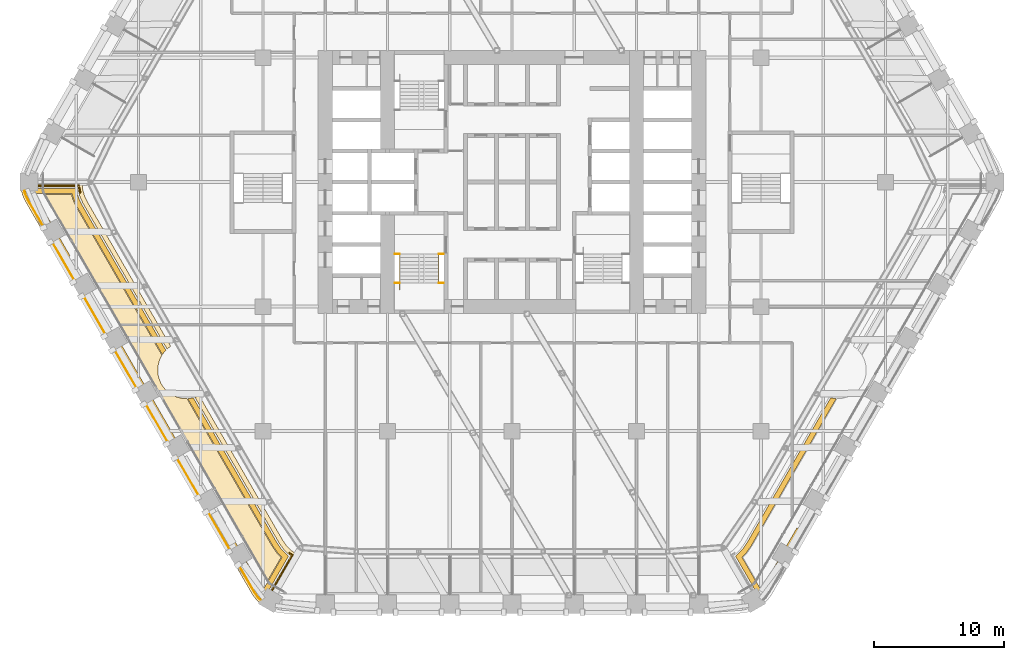
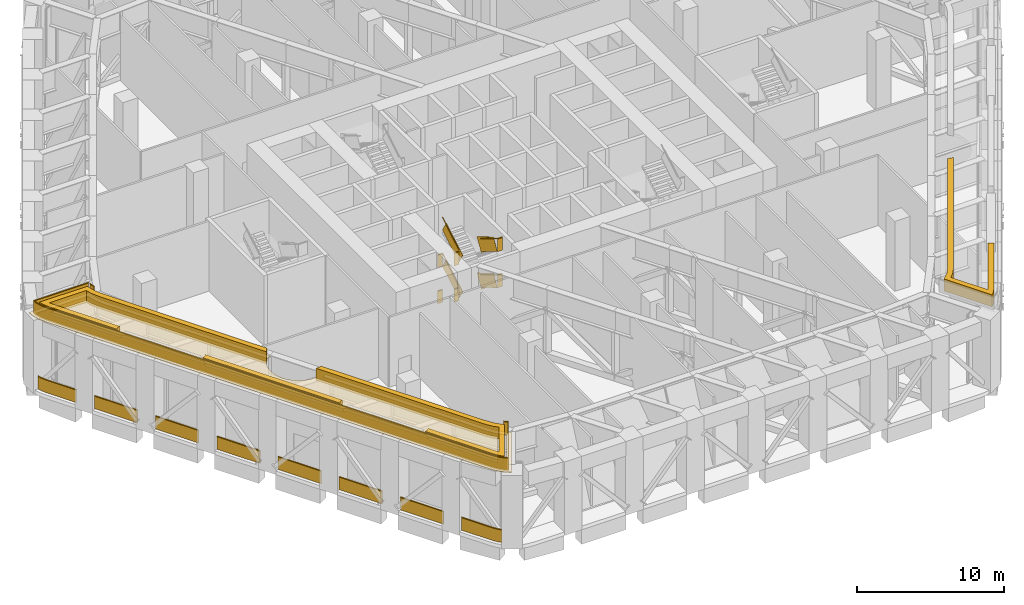
# One storey, part 32 of 35: 6 coverings, 4 railings.
"""IFC4 building model written with IfcOpenShell, lengths in metres."""

from ifc_helpers import new_model, si_unit, direction, frame, frame_2d, origin, origin_2d, place, context, subcontext, project, spatial, polyline, rectangle, outline, extrude, material, layer, layer_set, type_object, element, save


model = new_model("IFC4")

# Units and contexts
model_context = context("Model", 3, precision=1e-05, world=origin(), true_north=direction((0.0, 1.0)))
body_context = subcontext(model_context, "Body", "Model", "MODEL_VIEW")
ifc_project = project(units=[si_unit("LENGTHUNIT", "METRE"), si_unit("AREAUNIT", "SQUARE_METRE"), si_unit("VOLUMEUNIT", "CUBIC_METRE"), si_unit("PLANEANGLEUNIT", "RADIAN"), si_unit("MASSUNIT", "GRAM", prefix="KILO")], contexts=[model_context])

# Site, building, storey
site_placement = place(None, origin())
site = spatial("IfcSite", under=ifc_project, at=site_placement, CompositionType="ELEMENT")
building_placement = place(site_placement, origin())
building = spatial("IfcBuilding", under=site, at=building_placement, Name="Kolab Exchange Tower", CompositionType="ELEMENT")
storey_placement = place(building_placement, frame((0.0, 0.0, 71.89990234375)))
storey = spatial("IfcBuildingStorey", under=building, at=storey_placement, Name="L13", CompositionType="ELEMENT", Elevation=71.89990234375)

# Railings
ifc_material_1 = material(Name="Stainless steel 316", Category="steel")
railing_type_1 = type_object("IfcRailingType", Name="GUARD 1100", PredefinedType="GUARDRAIL", material=ifc_material_1)
railing_1_placement = place(storey_placement, frame((-9.050048828125, -5.550048828125, 0.0)))
element("IfcRailing", 1, at=railing_1_placement, inside=storey, type_object=railing_type_1, Name="Guard ST3", PredefinedType="GUARDRAIL", context=body_context, shape_type="SweptSolid", body=[
    extrude(rectangle(XDim=0.05, YDim=0.05, at=origin_2d()), frame((0.0, 0.0, 1.0751953125), z_axis=(1.0, 0.0, 0.0), x_axis=(0.0, 1.0, 0.0)), (0.0, 0.0, 1.0), 0.39013671875),
    extrude(rectangle(XDim=0.012, YDim=1.05009765625, at=frame_2d((0.0, 0.525146484375))), frame((0.0, 0.0, 0.0), z_axis=(1.0, 0.0, 0.0), x_axis=(0.0, 1.0, 0.0)), (0.0, 0.0, 1.0), 0.39013671875),
    extrude(rectangle(XDim=0.05, YDim=0.05, at=origin_2d()), frame((3.41015625, 0.0, 1.0751953125), z_axis=(1.0, 0.0, 0.0), x_axis=(0.0, 1.0, 0.0)), (0.0, 0.0, 1.0), 0.389892578125),
    extrude(rectangle(XDim=0.012, YDim=1.05009765625, at=frame_2d((0.0, 0.525146484375))), frame((3.41015625, 0.0, 0.0), z_axis=(1.0, 0.0, 0.0), x_axis=(0.0, 1.0, 0.0)), (0.0, 0.0, 1.0), 0.389892578125),
    extrude(rectangle(XDim=0.05, YDim=0.05, at=origin_2d()), frame((0.0, -2.239990234375, 2.5751953125), z_axis=(1.0, 0.0, 0.0), x_axis=(0.0, 1.0, 0.0)), (0.0, 0.0, 1.0), 0.39013671875),
    extrude(rectangle(XDim=0.012, YDim=1.05009765625, at=frame_2d((0.0, 0.525146484375))), frame((0.0, -2.239990234375, 1.5), z_axis=(1.0, 0.0, 0.0), x_axis=(0.0, 1.0, 0.0)), (0.0, 0.0, 1.0), 0.39013671875),
    extrude(rectangle(XDim=0.05, YDim=0.05, at=origin_2d()), frame((3.41015625, -2.239990234375, 2.5751953125), z_axis=(1.0, 0.0, 0.0), x_axis=(0.0, 1.0, 0.0)), (0.0, 0.0, 1.0), 0.389892578125),
    extrude(rectangle(XDim=0.012, YDim=1.05009765625, at=frame_2d((0.0, 0.525146484375))), frame((3.41015625, -2.239990234375, 1.5), z_axis=(1.0, 0.0, 0.0), x_axis=(0.0, 1.0, 0.0)), (0.0, 0.0, 1.0), 0.389892578125),
    extrude(rectangle(XDim=0.05, YDim=0.05, at=origin_2d()), frame((0.0, 0.0, 4.0751953125), z_axis=(1.0, 0.0, 0.0), x_axis=(0.0, 1.0, 0.0)), (0.0, 0.0, 1.0), 0.39013671875),
    extrude(rectangle(XDim=0.012, YDim=1.05009765625, at=frame_2d((0.0, 0.525146484375))), frame((0.0, 0.0, 3.0), z_axis=(1.0, 0.0, 0.0), x_axis=(0.0, 1.0, 0.0)), (0.0, 0.0, 1.0), 0.39013671875),
    extrude(rectangle(XDim=0.05, YDim=0.05, at=origin_2d()), frame((3.41015625, 0.0, 4.0751953125), z_axis=(1.0, 0.0, 0.0), x_axis=(0.0, 1.0, 0.0)), (0.0, 0.0, 1.0), 0.389892578125),
    extrude(rectangle(XDim=0.012, YDim=1.05009765625, at=frame_2d((0.0, 0.525146484375))), frame((3.41015625, 0.0, 3.0), z_axis=(1.0, 0.0, 0.0), x_axis=(0.0, 1.0, 0.0)), (0.0, 0.0, 1.0), 0.389892578125),
    extrude(rectangle(XDim=0.05, YDim=0.05, at=origin_2d()), frame((0.0, -2.239990234375, 5.5751953125), z_axis=(1.0, 0.0, 0.0), x_axis=(0.0, 1.0, 0.0)), (0.0, 0.0, 1.0), 0.39013671875),
    extrude(rectangle(XDim=0.012, YDim=1.05009765625, at=frame_2d((0.0, 0.525146484375))), frame((0.0, -2.239990234375, 4.5), z_axis=(1.0, 0.0, 0.0), x_axis=(0.0, 1.0, 0.0)), (0.0, 0.0, 1.0), 0.39013671875),
    extrude(rectangle(XDim=0.05, YDim=0.05, at=origin_2d()), frame((3.41015625, -2.239990234375, 5.5751953125), z_axis=(1.0, 0.0, 0.0), x_axis=(0.0, 1.0, 0.0)), (0.0, 0.0, 1.0), 0.389892578125),
    extrude(rectangle(XDim=0.012, YDim=1.05009765625, at=frame_2d((0.0, 0.525146484375))), frame((3.41015625, -2.239990234375, 4.5), z_axis=(1.0, 0.0, 0.0), x_axis=(0.0, 1.0, 0.0)), (0.0, 0.0, 1.0), 0.389892578125),
])
railing_2_placement = place(storey_placement, frame((-5.639892578125, -5.550048828125, 0.166748046875)))
element("IfcRailing", 2, at=railing_2_placement, inside=storey, type_object=railing_type_1, Name="Handrail guard ST3", PredefinedType="GUARDRAIL", context=body_context, shape_type="SweptSolid", body=[
    extrude(rectangle(XDim=0.05, YDim=0.05, at=origin_2d()), frame((0.0, 0.0, 1.0751953125), z_axis=(0.0, -0.859305625298, 0.511462454469), x_axis=(1.0, 0.0, 0.0)), (0.0, 0.0, 1.0), 2.606689453125),
    extrude(rectangle(XDim=0.012, YDim=1.05009765625, at=frame_2d((0.0, 0.525146484375))), frame((0.0, 0.0, 0.0), z_axis=(0.0, -0.859305625298, 0.511462454469), x_axis=(1.0, 0.0, 0.0)), (0.0, 0.0, 1.0), 2.606689453125),
    extrude(rectangle(XDim=0.05, YDim=0.05, at=origin_2d()), frame((-3.02001953125, -2.239990234375, 2.5751953125), z_axis=(0.0, 0.859305625298, 0.511462454469), x_axis=(-1.0, 0.0, 0.0)), (0.0, 0.0, 1.0), 2.606689453125),
    extrude(rectangle(XDim=0.012, YDim=1.05009765625, at=frame_2d((0.0, 0.525146484375))), frame((-3.02001953125, -2.239990234375, 1.5), z_axis=(0.0, 0.859305625298, 0.511462454469), x_axis=(-1.0, 0.0, 0.0)), (0.0, 0.0, 1.0), 2.606689453125),
    extrude(rectangle(XDim=0.05, YDim=0.05, at=origin_2d()), frame((0.0, 0.0, 4.0751953125), z_axis=(0.0, -0.859305625298, 0.511462454469), x_axis=(1.0, 0.0, 0.0)), (0.0, 0.0, 1.0), 2.606689453125),
    extrude(rectangle(XDim=0.012, YDim=1.05009765625, at=frame_2d((0.0, 0.525146484375))), frame((0.0, 0.0, 3.0), z_axis=(0.0, -0.859305625298, 0.511462454469), x_axis=(1.0, 0.0, 0.0)), (0.0, 0.0, 1.0), 2.606689453125),
    extrude(rectangle(XDim=0.05, YDim=0.05, at=origin_2d()), frame((-3.02001953125, -2.239990234375, 5.5751953125), z_axis=(0.0, 0.859305625298, 0.511462454469), x_axis=(-1.0, 0.0, 0.0)), (0.0, 0.0, 1.0), 2.606689453125),
    extrude(rectangle(XDim=0.012, YDim=1.05009765625, at=frame_2d((0.0, 0.525146484375))), frame((-3.02001953125, -2.239990234375, 4.5), z_axis=(0.0, 0.859305625298, 0.511462454469), x_axis=(-1.0, 0.0, 0.0)), (0.0, 0.0, 1.0), 2.606689453125),
])
ifc_material_2 = material(Name="Steel S235", Category="steel")
railing_type_2 = type_object("IfcRailingType", Name="GUARD 1100 GLASS BALUSTRADE AND STEEL TOP RAIL", PredefinedType="GUARDRAIL", material=ifc_material_2)
railing_3_placement = place(storey_placement, frame((-37.5869140625, -0.690673828125, 0.0)))
element("IfcRailing", 3, at=railing_3_placement, inside=storey, type_object=railing_type_2, Name="Guard", PredefinedType="GUARDRAIL", context=body_context, shape_type="SweptSolid", body=[
    extrude(rectangle(XDim=0.05, YDim=0.05, at=origin_2d()), frame((0.0, 0.0, 1.0751953125), z_axis=(0.258484584798, -0.966015382601, 0.0), x_axis=(0.966015382601, 0.258484584798, 0.0)), (0.0, 0.0, 1.0), 0.2587890625),
    extrude(rectangle(XDim=0.012, YDim=1.05009765625, at=frame_2d((0.0, 0.525146484375))), frame((0.0, 0.0, 0.0), z_axis=(0.258484584798, -0.966015382601, 0.0), x_axis=(0.966015382601, 0.258484584798, 0.0)), (0.0, 0.0, 1.0), 0.2587890625),
    extrude(rectangle(XDim=0.05, YDim=0.05, at=origin_2d()), frame((0.06689453125, -0.25, 1.0751953125), z_axis=(0.422801802984, -0.906222177721, 0.0), x_axis=(0.906222177721, 0.422801802984, 0.0)), (0.0, 0.0, 1.0), 0.479248046875),
    extrude(rectangle(XDim=0.012, YDim=1.05009765625, at=frame_2d((0.0, 0.525146484375))), frame((0.06689453125, -0.25, 0.0), z_axis=(0.422801802984, -0.906222177721, 0.0), x_axis=(0.906222177721, 0.422801802984, 0.0)), (0.0, 0.0, 1.0), 0.479248046875),
    extrude(rectangle(XDim=0.05, YDim=0.05, at=origin_2d()), frame((0.26953125, -0.684326171875, 1.0751953125), z_axis=(0.499942602326, -0.866058539811, 0.0), x_axis=(0.866058539811, 0.499942602326, 0.0)), (0.0, 0.0, 1.0), 2.367919921875),
    extrude(rectangle(XDim=0.012, YDim=1.05009765625, at=frame_2d((0.0, 0.525146484375))), frame((0.26953125, -0.684326171875, 0.0), z_axis=(0.499942602326, -0.866058539811, 0.0), x_axis=(0.866058539811, 0.499942602326, 0.0)), (0.0, 0.0, 1.0), 2.367919921875),
    extrude(rectangle(XDim=0.05, YDim=0.05, at=origin_2d()), frame((2.1533203125, -3.947509765625, 1.0751953125), z_axis=(0.500062241894, -0.865989465428, 0.0), x_axis=(0.865989465428, 0.500062241894, 0.0)), (0.0, 0.0, 1.0), 3.39990234375),
    extrude(rectangle(XDim=0.012, YDim=1.05009765625, at=frame_2d((0.0, 0.525146484375))), frame((2.1533203125, -3.947509765625, 0.0), z_axis=(0.500062241894, -0.865989465428, 0.0), x_axis=(0.865989465428, 0.500062241894, 0.0)), (0.0, 0.0, 1.0), 3.39990234375),
    extrude(rectangle(XDim=0.05, YDim=0.05, at=origin_2d()), frame((4.553466796875, -8.1044921875, 1.0751953125), z_axis=(0.500008388397, -0.866020560687, 0.0), x_axis=(0.866020560687, 0.500008388397, 0.0)), (0.0, 0.0, 1.0), 3.39990234375),
    extrude(rectangle(XDim=0.012, YDim=1.05009765625, at=frame_2d((0.0, 0.525146484375))), frame((4.553466796875, -8.1044921875, 0.0), z_axis=(0.500008388397, -0.866020560687, 0.0), x_axis=(0.866020560687, 0.500008388397, 0.0)), (0.0, 0.0, 1.0), 3.39990234375),
    extrude(rectangle(XDim=0.05, YDim=0.05, at=origin_2d()), frame((6.953369140625, -12.26123046875, 1.0751953125), z_axis=(0.499977295307, -0.866038511948, 0.0), x_axis=(0.866038511948, 0.499977295307, 0.0)), (0.0, 0.0, 1.0), 3.400146484375),
    extrude(rectangle(XDim=0.012, YDim=1.05009765625, at=frame_2d((0.0, 0.525146484375))), frame((6.953369140625, -12.26123046875, 0.0), z_axis=(0.499977295307, -0.866038511948, 0.0), x_axis=(0.866038511948, 0.499977295307, 0.0)), (0.0, 0.0, 1.0), 3.400146484375),
    extrude(rectangle(XDim=0.05, YDim=0.05, at=origin_2d()), frame((9.353515625, -16.418212890625, 1.0751953125), z_axis=(0.499977295307, -0.866038511948, 0.0), x_axis=(0.866038511948, 0.499977295307, 0.0)), (0.0, 0.0, 1.0), 3.400146484375),
    extrude(rectangle(XDim=0.012, YDim=1.05009765625, at=frame_2d((0.0, 0.525146484375))), frame((9.353515625, -16.418212890625, 0.0), z_axis=(0.499977295307, -0.866038511948, 0.0), x_axis=(0.866038511948, 0.499977295307, 0.0)), (0.0, 0.0, 1.0), 3.400146484375),
    extrude(rectangle(XDim=0.05, YDim=0.05, at=origin_2d()), frame((11.75341796875, -20.5751953125, 1.0751953125), z_axis=(0.500008388397, -0.866020560687, 0.0), x_axis=(0.866020560687, 0.500008388397, 0.0)), (0.0, 0.0, 1.0), 3.39990234375),
    extrude(rectangle(XDim=0.012, YDim=1.05009765625, at=frame_2d((0.0, 0.525146484375))), frame((11.75341796875, -20.5751953125, 0.0), z_axis=(0.500008388397, -0.866020560687, 0.0), x_axis=(0.866020560687, 0.500008388397, 0.0)), (0.0, 0.0, 1.0), 3.39990234375),
    extrude(rectangle(XDim=0.05, YDim=0.05, at=origin_2d()), frame((14.1533203125, -24.732177734375, 1.0751953125), z_axis=(0.500062241894, -0.865989465428, 0.0), x_axis=(0.865989465428, 0.500062241894, 0.0)), (0.0, 0.0, 1.0), 3.39990234375),
    extrude(rectangle(XDim=0.012, YDim=1.05009765625, at=frame_2d((0.0, 0.525146484375))), frame((14.1533203125, -24.732177734375, 0.0), z_axis=(0.500062241894, -0.865989465428, 0.0), x_axis=(0.865989465428, 0.500062241894, 0.0)), (0.0, 0.0, 1.0), 3.39990234375),
    extrude(rectangle(XDim=0.05, YDim=0.05, at=origin_2d()), frame((16.553466796875, -28.888916015625, 1.0751953125), z_axis=(0.499942602326, -0.866058539811, 0.0), x_axis=(0.866058539811, 0.499942602326, 0.0)), (0.0, 0.0, 1.0), 2.367919921875),
    extrude(rectangle(XDim=0.012, YDim=1.05009765625, at=frame_2d((0.0, 0.525146484375))), frame((16.553466796875, -28.888916015625, 0.0), z_axis=(0.499942602326, -0.866058539811, 0.0), x_axis=(0.866058539811, 0.499942602326, 0.0)), (0.0, 0.0, 1.0), 2.367919921875),
    extrude(rectangle(XDim=0.05, YDim=0.05, at=origin_2d()), frame((17.7373046875, -30.939697265625, 1.0751953125), z_axis=(0.573940749815, -0.818896828485, 0.0), x_axis=(0.818896828485, 0.573940749815, 0.0)), (0.0, 0.0, 1.0), 0.4794921875),
    extrude(rectangle(XDim=0.012, YDim=1.05009765625, at=frame_2d((0.0, 0.525146484375))), frame((17.7373046875, -30.939697265625, 0.0), z_axis=(0.573940749815, -0.818896828485, 0.0), x_axis=(0.818896828485, 0.573940749815, 0.0)), (0.0, 0.0, 1.0), 0.4794921875),
    extrude(rectangle(XDim=0.05, YDim=0.05, at=origin_2d()), frame((18.012451171875, -31.332275390625, 1.0751953125), z_axis=(0.706634904947, -0.707578342737, 0.0), x_axis=(0.707578342737, 0.706634904947, 0.0)), (0.0, 0.0, 1.0), 0.2587890625),
    extrude(rectangle(XDim=0.012, YDim=1.05009765625, at=frame_2d((0.0, 0.525146484375))), frame((18.012451171875, -31.332275390625, 0.0), z_axis=(0.706634904947, -0.707578342737, 0.0), x_axis=(0.707578342737, 0.706634904947, 0.0)), (0.0, 0.0, 1.0), 0.2587890625),
])
railing_4_placement = place(storey_placement, frame((-19.048095703125, -32.4921875, 6.0)))
element("IfcRailing", 4, at=railing_4_placement, inside=storey, type_object=railing_type_2, Name="Ledge guard", PredefinedType="GUARDRAIL", context=body_context, shape_type="SweptSolid", body=[
    extrude(rectangle(XDim=0.05, YDim=0.05, at=origin_2d()), frame((-14.302734375, 32.0791015625, 1.0751953125), z_axis=(0.200015205066, -0.979792793269, 0.0), x_axis=(0.979792793269, 0.200015205066, 0.0)), (0.0, 0.0, 1.0), 0.433349609375),
    extrude(rectangle(XDim=0.012, YDim=1.05009765625, at=frame_2d((0.0, 0.525146484375))), frame((-14.302734375, 32.0791015625, 0.0), z_axis=(0.200015205066, -0.979792793269, 0.0), x_axis=(0.979792793269, 0.200015205066, 0.0)), (0.0, 0.0, 1.0), 0.433349609375),
    extrude(rectangle(XDim=0.05, YDim=0.05, at=origin_2d()), frame((1.875, 3.9189453125, 1.0751953125), z_axis=(0.812411603037, -0.583084374041, 0.0), x_axis=(0.583084374041, 0.812411603037, 0.0)), (0.0, 0.0, 1.0), 0.33740234375),
    extrude(rectangle(XDim=0.012, YDim=1.05009765625, at=frame_2d((0.0, 0.525146484375))), frame((1.875, 3.9189453125, 0.0), z_axis=(0.812411603037, -0.583084374041, 0.0), x_axis=(0.583084374041, 0.812411603037, 0.0)), (0.0, 0.0, 1.0), 0.33740234375),
    extrude(rectangle(XDim=0.05, YDim=0.05, at=origin_2d()), frame((2.149169921875, 3.72216796875, 1.0751953125), z_axis=(-0.500030579029, -0.866007748254, 0.0), x_axis=(0.866007748254, -0.500030579029, 0.0)), (0.0, 0.0, 1.0), 4.298095703125),
    extrude(rectangle(XDim=0.012, YDim=1.05009765625, at=frame_2d((0.0, 0.525146484375))), frame((2.149169921875, 3.72216796875, 0.0), z_axis=(-0.500030579029, -0.866007748254, 0.0), x_axis=(0.866007748254, -0.500030579029, 0.0)), (0.0, 0.0, 1.0), 4.298095703125),
    extrude(rectangle(XDim=0.05, YDim=0.05, at=origin_2d()), frame((0.0, 0.0, 1.0751953125), z_axis=(-0.819332409574, 0.573318761791, 0.0), x_axis=(-0.573318761791, -0.819332409574, 0.0)), (0.0, 0.0, 1.0), 0.228271484375),
    extrude(rectangle(XDim=0.012, YDim=1.05009765625, at=frame_2d((0.0, 0.525146484375))), frame((0.0, 0.0, 0.0), z_axis=(-0.819332409574, 0.573318761791, 0.0), x_axis=(-0.573318761791, -0.819332409574, 0.0)), (0.0, 0.0, 1.0), 0.228271484375),
    extrude(rectangle(XDim=0.05, YDim=0.05, at=origin_2d()), frame((-0.18701171875, 0.130859375, 1.0751953125), z_axis=(-0.706851922036, 0.707361548512, 0.0), x_axis=(-0.707361548512, -0.706851922036, 0.0)), (0.0, 0.0, 1.0), 0.47900390625),
    extrude(rectangle(XDim=0.012, YDim=1.05009765625, at=frame_2d((0.0, 0.525146484375))), frame((-0.18701171875, 0.130859375, 0.0), z_axis=(-0.706851922036, 0.707361548512, 0.0), x_axis=(-0.707361548512, -0.706851922036, 0.0)), (0.0, 0.0, 1.0), 0.47900390625),
    extrude(rectangle(XDim=0.05, YDim=0.05, at=origin_2d()), frame((-0.525634765625, 0.4697265625, 1.0751953125), z_axis=(-0.573629427137, 0.819114937187, 0.0), x_axis=(-0.819114937187, -0.573629427137, 0.0)), (0.0, 0.0, 1.0), 0.490234375),
    extrude(rectangle(XDim=0.012, YDim=1.05009765625, at=frame_2d((0.0, 0.525146484375))), frame((-0.525634765625, 0.4697265625, 0.0), z_axis=(-0.573629427137, 0.819114937187, 0.0), x_axis=(-0.819114937187, -0.573629427137, 0.0)), (0.0, 0.0, 1.0), 0.490234375),
    extrude(rectangle(XDim=0.05, YDim=0.05, at=origin_2d()), frame((-0.806884765625, 0.871337890625, 1.0751953125), z_axis=(-0.500001698484, 0.866024423162, 0.0), x_axis=(-0.866024423162, -0.500001698484, 0.0)), (0.0, 0.0, 1.0), 34.9140625),
    extrude(rectangle(XDim=0.012, YDim=1.05009765625, at=frame_2d((0.0, 0.525146484375))), frame((-0.806884765625, 0.871337890625, 0.0), z_axis=(-0.500001698484, 0.866024423162, 0.0), x_axis=(-0.866024423162, -0.500001698484, 0.0)), (0.0, 0.0, 1.0), 34.9140625),
    extrude(rectangle(XDim=0.05, YDim=0.05, at=origin_2d()), frame((-18.263916015625, 31.107666015625, 1.0751953125), z_axis=(-0.422340086698, 0.906437450224, 0.0), x_axis=(-0.906437450224, -0.422340086698, 0.0)), (0.0, 0.0, 1.0), 0.490234375),
    extrude(rectangle(XDim=0.012, YDim=1.05009765625, at=frame_2d((0.0, 0.525146484375))), frame((-18.263916015625, 31.107666015625, 0.0), z_axis=(-0.422340086698, 0.906437450224, 0.0), x_axis=(-0.906437450224, -0.422340086698, 0.0)), (0.0, 0.0, 1.0), 0.490234375),
    extrude(rectangle(XDim=0.05, YDim=0.05, at=origin_2d()), frame((-18.470947265625, 31.552001953125, 1.0751953125), z_axis=(-0.258803991931, 0.965929859648, 0.0), x_axis=(-0.965929859648, -0.258803991931, 0.0)), (0.0, 0.0, 1.0), 0.479248046875),
    extrude(rectangle(XDim=0.012, YDim=1.05009765625, at=frame_2d((0.0, 0.525146484375))), frame((-18.470947265625, 31.552001953125, 0.0), z_axis=(-0.258803991931, 0.965929859648, 0.0), x_axis=(-0.965929859648, -0.258803991931, 0.0)), (0.0, 0.0, 1.0), 0.479248046875),
    extrude(rectangle(XDim=0.05, YDim=0.05, at=origin_2d()), frame((-18.594970703125, 32.014892578125, 1.0751953125), z_axis=(-0.087737676013, 0.996143614248, 0.0), x_axis=(-0.996143614248, -0.087737676013, 0.0)), (0.0, 0.0, 1.0), 0.228271484375),
    extrude(rectangle(XDim=0.012, YDim=1.05009765625, at=frame_2d((0.0, 0.525146484375))), frame((-18.594970703125, 32.014892578125, 0.0), z_axis=(-0.087737676013, 0.996143614248, 0.0), x_axis=(-0.996143614248, -0.087737676013, 0.0)), (0.0, 0.0, 1.0), 0.228271484375),
    extrude(rectangle(XDim=0.05, YDim=0.05, at=origin_2d()), frame((-18.614990234375, 32.2421875, 1.0751953125), z_axis=(1.0, 0.0, 0.0), x_axis=(0.0, 1.0, 0.0)), (0.0, 0.0, 1.0), 4.298095703125),
    extrude(rectangle(XDim=0.012, YDim=1.05009765625, at=frame_2d((0.0, 0.525146484375))), frame((-18.614990234375, 32.2421875, 0.0), z_axis=(1.0, 0.0, 0.0), x_axis=(0.0, 1.0, 0.0)), (0.0, 0.0, 1.0), 4.298095703125),
])

# Coverings
ifc_material_3 = material(Name="Planting soil and turf", Category="soil")
ifc_layer_1 = layer(ifc_material_3, 0.25)
ifc_layer_set_1 = layer_set([ifc_layer_1], Name="Planting soil and turf")
covering_type_1 = type_object("IfcCoveringType", Name="PLANTING SOIL AND TURF 250", PredefinedType="USERDEFINED", material=ifc_layer_set_1)
covering_1_placement = place(storey_placement, frame((0.0, 0.0, 6.0)))
element("IfcCovering", 5, at=covering_1_placement, inside=storey, type_object=covering_type_1, Name="Planting soil and turf", ObjectType="PLANTING", PredefinedType="USERDEFINED", context=body_context, shape_type="SweptSolid", body=[
    extrude(outline(polyline([(-33.958984375, -0.949951171875), (-33.85107421875, -1.352294921875), (-33.577392578125, -1.93896484375), (-26.98779296875, -13.3525390625), (-27.0537109375, -13.462158203125), (-27.14599609375, -13.6572265625), (-27.21875, -13.860595703125), (-27.271240234375, -14.070068359375), (-27.302734375, -14.28369140625), (-27.3134765625, -14.499267578125), (-27.302734375, -14.71484375), (-27.271240234375, -14.928466796875), (-27.21875, -15.137939453125), (-27.14599609375, -15.341064453125), (-27.0537109375, -15.536376953125), (-26.942626953125, -15.721435546875), (-26.81396484375, -15.894775390625), (-26.6689453125, -16.054931640625), (-26.509033203125, -16.199951171875), (-26.335693359375, -16.328369140625), (-26.150390625, -16.439453125), (-25.955322265625, -16.53173828125), (-25.751953125, -16.6044921875), (-25.54248046875, -16.656982421875), (-25.3291015625, -16.688720703125), (-25.11328125, -16.69921875), (-25.057373046875, -16.696533203125), (-18.468017578125, -28.109375), (-18.0966796875, -28.639892578125), (-17.80224609375, -28.934326171875), (-19.19384765625, -31.3447265625), (-19.26416015625, -31.244384765625), (-21.954345703125, -26.584716796875), (-21.952392578125, -26.58056640625), (-21.9404296875, -26.543212890625), (-21.93212890625, -26.5048828125), (-21.927734375, -26.4658203125), (-21.927001953125, -26.426513671875), (-21.93017578125, -26.387451171875), (-21.937255859375, -26.348876953125), (-21.947998046875, -26.31103515625), (-21.96240234375, -26.2744140625), (-21.98046875, -26.239501953125), (-24.98046875, -21.04345703125), (-25.001708984375, -21.010498046875), (-25.026123046875, -20.979736328125), (-25.053466796875, -20.951416015625), (-25.083251953125, -20.926025390625), (-25.115478515625, -20.90380859375), (-25.14990234375, -20.884765625), (-25.185791015625, -20.869140625), (-25.223388671875, -20.857177734375), (-25.26171875, -20.848876953125), (-25.266357421875, -20.84814453125), (-30.688232421875, -11.45703125), (-30.6865234375, -11.452880859375), (-30.67431640625, -11.41552734375), (-30.666015625, -11.377197265625), (-30.66162109375, -11.338134765625), (-30.660888671875, -11.298828125), (-30.664306640625, -11.259765625), (-30.671142578125, -11.22119140625), (-30.681884765625, -11.183349609375), (-30.696533203125, -11.146728515625), (-30.71435546875, -11.11181640625), (-33.71435546875, -5.915771484375), (-33.735595703125, -5.8828125), (-33.760009765625, -5.85205078125), (-33.787353515625, -5.82373046875), (-33.8173828125, -5.79833984375), (-33.849609375, -5.776123046875), (-33.8837890625, -5.757080078125), (-33.919921875, -5.741455078125), (-33.957275390625, -5.7294921875), (-33.99560546875, -5.72119140625), (-34.000244140625, -5.720458984375), (-36.6904296875, -1.06103515625), (-36.7421875, -0.949951171875), (-33.958984375, -0.949951171875)])), origin(), (0.0, 0.0, 1.0), 0.25),
])
ifc_material_4 = material(Name="Limestone coping", Category="masonry")
ifc_layer_2 = layer(ifc_material_4, 0.050048828125)
ifc_layer_set_2 = layer_set([ifc_layer_2], Name="Limestone coping")
covering_type_2 = type_object("IfcCoveringType", Name="TERRACE EDGE BAND LIMESTONE 50", PredefinedType="CLADDING", material=ifc_layer_set_2)
covering_2_placement = place(storey_placement, frame((0.0, 0.0, 6.0)))
element("IfcCovering", 6, at=covering_2_placement, inside=storey, type_object=covering_type_2, Name="Terrace edge band", PredefinedType="CLADDING", context=body_context, shape_type="SweptSolid", body=[
    extrude(outline(polyline([(-19.750732421875, -32.1708984375), (-20.049072265625, -31.74462890625), (-37.51611328125, -1.49072265625), (-37.736083984375, -1.019287109375), (-37.87060546875, -0.517578125), (-37.9140625, -0.02001953125), (-33.154296875, -0.02001953125), (-33.110107421875, -0.5244140625), (-32.973876953125, -1.032958984375), (-32.751708984375, -1.50927734375), (-26.315185546875, -12.65771484375), (-26.335693359375, -12.669921875), (-26.509033203125, -12.798583984375), (-26.59375, -12.875244140625), (-33.0625, -1.6708984375), (-33.303955078125, -1.153076171875), (-33.4560546875, -0.58544921875), (-33.474853515625, -0.3701171875), (-37.5322265625, -0.3701171875), (-37.524658203125, -0.45654296875), (-37.406005859375, -0.89892578125), (-37.20556640625, -1.3291015625), (-34.45947265625, -6.085205078125), (-34.4599609375, -6.089599609375), (-34.46044921875, -6.12890625), (-34.457275390625, -6.16796875), (-34.450439453125, -6.20654296875), (-34.439453125, -6.244384765625), (-34.425048828125, -6.28076171875), (-34.4072265625, -6.315673828125), (-31.4072265625, -11.511962890625), (-31.385986328125, -11.544921875), (-31.361572265625, -11.57568359375), (-31.334228515625, -11.603759765625), (-31.30419921875, -11.629150390625), (-31.27197265625, -11.651611328125), (-31.23779296875, -11.670654296875), (-31.233642578125, -11.67236328125), (-25.725341796875, -21.212890625), (-25.725830078125, -21.21728515625), (-25.7265625, -21.256591796875), (-25.723388671875, -21.295654296875), (-25.71630859375, -21.334228515625), (-25.70556640625, -21.3720703125), (-25.691162109375, -21.408447265625), (-25.673095703125, -21.443359375), (-22.673095703125, -26.6396484375), (-22.65185546875, -26.672607421875), (-22.62744140625, -26.703369140625), (-22.600341796875, -26.7314453125), (-22.5703125, -26.7568359375), (-22.5380859375, -26.779296875), (-22.503662109375, -26.79833984375), (-22.499755859375, -26.800048828125), (-19.753662109375, -31.556396484375), (-19.4814453125, -31.945068359375), (-19.157470703125, -32.26904296875), (-19.08642578125, -32.31884765625), (-17.057861328125, -28.80517578125), (-17.235107421875, -28.68115234375), (-17.650634765625, -28.265625), (-17.978271484375, -27.79736328125), (-24.446533203125, -16.594482421875), (-24.271484375, -16.53173828125), (-24.119873046875, -16.4599609375), (-17.682861328125, -27.609130859375), (-17.38134765625, -28.039794921875), (-17.00927734375, -28.411865234375), (-16.594482421875, -28.702392578125), (-18.974365234375, -32.824462890625), (-19.38330078125, -32.5380859375), (-19.750732421875, -32.1708984375)])), origin(), (0.0, 0.0, 1.0), 0.050048828125),
])
ifc_material_5 = material(Name="Terrace hedge planting", Category="soil")
ifc_layer_3 = layer(ifc_material_5, 1.0)
ifc_layer_set_3 = layer_set([ifc_layer_3], Name="Terrace hedge planting")
covering_type_3 = type_object("IfcCoveringType", Name="TERRACE HEDGE 1000 X 400", PredefinedType="USERDEFINED", material=ifc_layer_set_3)
covering_3_placement = place(storey_placement, frame((0.0, 0.0, 6.0)))
element("IfcCovering", 7, at=covering_3_placement, inside=storey, type_object=covering_type_3, Name="Terrace hedge", ObjectType="PLANTING", PredefinedType="USERDEFINED", context=body_context, shape_type="SweptSolid", body=[
    extrude(outline(polyline([(17.31884765625, -28.781005859375), (17.75048828125, -28.349365234375), (18.088134765625, -27.867431640625), (24.576171875, -16.6298828125), (24.68408203125, -16.656982421875), (24.897705078125, -16.688720703125), (25.001220703125, -16.693603515625), (18.42578125, -28.08251953125), (18.05810546875, -28.607421875), (17.73974609375, -28.926025390625), (19.189697265625, -31.437744140625), (19.30615234375, -31.271240234375), (21.980712890625, -26.63916015625), (21.987060546875, -26.65087890625), (22.009521484375, -26.68310546875), (22.034912109375, -26.713134765625), (22.06298828125, -26.740234375), (22.09375, -26.7646484375), (22.126708984375, -26.7861328125), (22.16162109375, -26.803955078125), (22.1982421875, -26.818359375), (22.236083984375, -26.8291015625), (22.274658203125, -26.836181640625), (22.313720703125, -26.83935546875), (22.3271484375, -26.839111328125), (19.64404296875, -31.486572265625), (19.381591796875, -31.861083984375), (19.1220703125, -32.12060546875), (17.22998046875, -28.84326171875), (17.31884765625, -28.781005859375)])), origin(), (0.0, 0.0, 1.0), 1.0),
])
covering_4_placement = place(storey_placement, frame((0.0, 0.0, 6.0)))
element("IfcCovering", 8, at=covering_4_placement, inside=storey, type_object=covering_type_3, Name="Terrace hedge", ObjectType="PLANTING", PredefinedType="USERDEFINED", context=body_context, shape_type="SweptSolid", body=[
    extrude(outline(polyline([(-33.584716796875, -0.608154296875), (-33.426513671875, -1.19775390625), (-33.177978515625, -1.731201171875), (-26.690673828125, -12.96728515625), (-26.81396484375, -13.103515625), (-26.942626953125, -13.27685546875), (-26.95849609375, -13.303466796875), (-33.532958984375, -1.916015625), (-33.803955078125, -1.3349609375), (-33.92041015625, -0.89990234375), (-36.82080078125, -0.89990234375), (-36.73486328125, -1.083984375), (-34.060546875, -5.71630859375), (-34.073974609375, -5.716064453125), (-34.113037109375, -5.71923828125), (-34.151611328125, -5.726318359375), (-34.189453125, -5.737060546875), (-34.225830078125, -5.75146484375), (-34.2607421875, -5.769287109375), (-34.293701171875, -5.79052734375), (-34.324462890625, -5.81494140625), (-34.352783203125, -5.84228515625), (-34.378173828125, -5.872314453125), (-34.400390625, -5.904541015625), (-34.406982421875, -5.916259765625), (-37.090087890625, -1.268798828125), (-37.283447265625, -0.8544921875), (-37.37841796875, -0.5), (-33.593994140625, -0.5), (-33.584716796875, -0.608154296875)])), origin(), (0.0, 0.0, 1.0), 1.0),
])
covering_5_placement = place(storey_placement, frame((0.0, 0.0, 6.0)))
element("IfcCovering", 9, at=covering_5_placement, inside=storey, type_object=covering_type_3, Name="Terrace hedge", ObjectType="PLANTING", PredefinedType="USERDEFINED", context=body_context, shape_type="SweptSolid", body=[
    extrude(outline(polyline([(-31.06103515625, -11.71142578125), (-31.047607421875, -11.711669921875), (-31.008544921875, -11.70849609375), (-30.969970703125, -11.701416015625), (-30.93212890625, -11.690673828125), (-30.895751953125, -11.67626953125), (-30.86083984375, -11.658447265625), (-30.827880859375, -11.636962890625), (-30.797119140625, -11.612548828125), (-30.768798828125, -11.58544921875), (-30.743408203125, -11.555419921875), (-30.72119140625, -11.523193359375), (-30.714599609375, -11.511474609375), (-25.32666015625, -20.843994140625), (-25.33984375, -20.84375), (-25.37890625, -20.846923828125), (-25.417724609375, -20.85400390625), (-25.455322265625, -20.86474609375), (-25.491943359375, -20.879150390625), (-25.52685546875, -20.89697265625), (-25.559814453125, -20.918212890625), (-25.590576171875, -20.942626953125), (-25.61865234375, -20.969970703125), (-25.64404296875, -21.0), (-25.66650390625, -21.0322265625), (-25.6728515625, -21.0439453125), (-31.06103515625, -11.71142578125)])), origin(), (0.0, 0.0, 1.0), 1.0),
])
covering_6_placement = place(storey_placement, frame((0.0, 0.0, 6.0)))
element("IfcCovering", 10, at=covering_6_placement, inside=storey, type_object=covering_type_3, Name="Terrace hedge", ObjectType="PLANTING", PredefinedType="USERDEFINED", context=body_context, shape_type="SweptSolid", body=[
    extrude(outline(polyline([(-18.088134765625, -27.867431640625), (-17.75048828125, -28.349365234375), (-17.31884765625, -28.781005859375), (-17.22998046875, -28.84326171875), (-19.1220703125, -32.12060546875), (-19.381591796875, -31.861083984375), (-19.64404296875, -31.486572265625), (-22.3271484375, -26.839111328125), (-22.313720703125, -26.83935546875), (-22.274658203125, -26.836181640625), (-22.236083984375, -26.8291015625), (-22.1982421875, -26.818359375), (-22.16162109375, -26.803955078125), (-22.126708984375, -26.7861328125), (-22.09375, -26.7646484375), (-22.06298828125, -26.740234375), (-22.034912109375, -26.713134765625), (-22.009521484375, -26.68310546875), (-21.987060546875, -26.65087890625), (-21.980712890625, -26.63916015625), (-19.30615234375, -31.271240234375), (-19.189697265625, -31.437744140625), (-17.73974609375, -28.926025390625), (-18.05810546875, -28.607421875), (-18.42578125, -28.08251953125), (-25.001220703125, -16.693603515625), (-24.897705078125, -16.688720703125), (-24.68408203125, -16.656982421875), (-24.576171875, -16.6298828125), (-18.088134765625, -27.867431640625)])), origin(), (0.0, 0.0, 1.0), 1.0),
])

save(model, "model.ifc")
